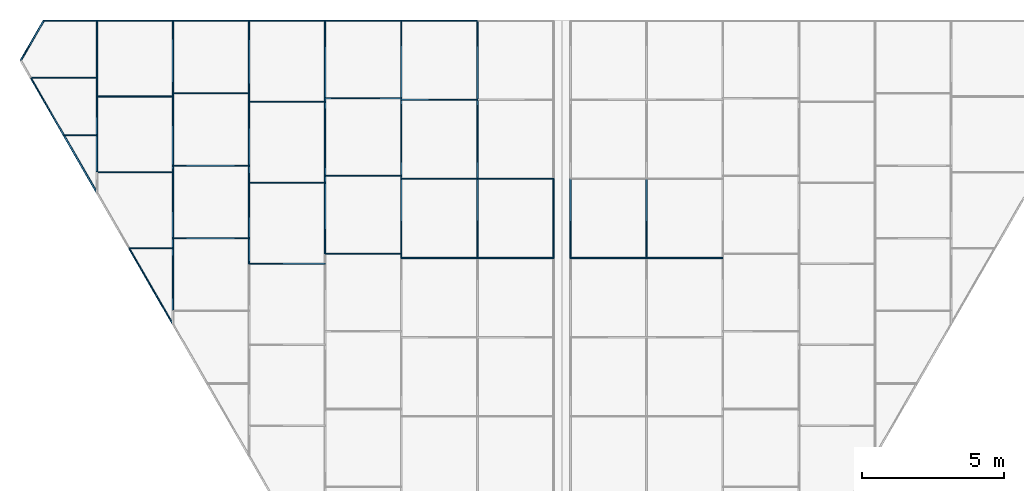
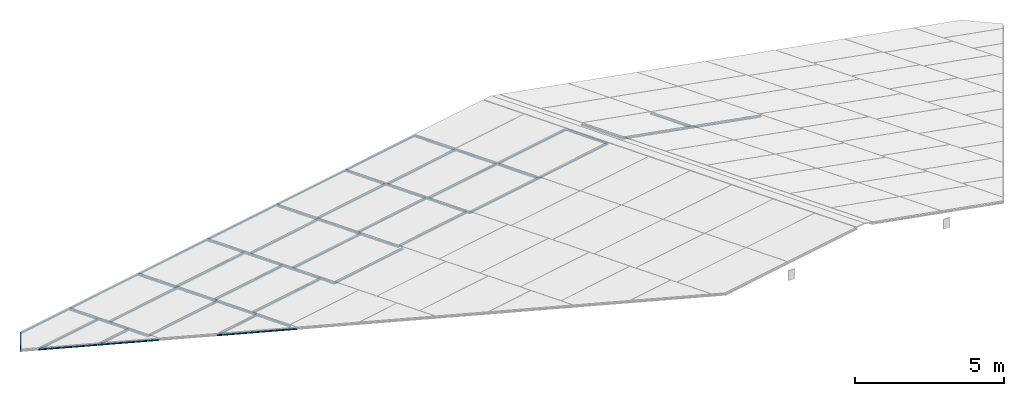
# One storey, part 3 of 12: 52 members, 30 elements without a shape of their own.
"""IFC4 building model written with IfcOpenShell, lengths in metres."""

from ifc_helpers import new_model, si_unit, direction, frame, origin, origin_2d, place, context, subcontext, project, spatial, rectangle, extrude, material, material_profile, profile_set, type_object, element, aggregate, save


model = new_model("IFC4")

# Units and contexts
model_context = context("Model", 3, precision=1e-05, world=origin(), true_north=direction((0.0, 1.0)))
body_context = subcontext(model_context, "Body", "Model", "MODEL_VIEW")
ifc_project = project(units=[si_unit("LENGTHUNIT", "METRE"), si_unit("AREAUNIT", "SQUARE_METRE"), si_unit("VOLUMEUNIT", "CUBIC_METRE"), si_unit("PLANEANGLEUNIT", "RADIAN"), si_unit("MASSUNIT", "GRAM", prefix="KILO")], contexts=[model_context])

# Site, building, storey
site_placement = place(None, origin())
site = spatial("IfcSite", under=ifc_project, at=site_placement, CompositionType="ELEMENT")
building_placement = place(site_placement, origin())
building = spatial("IfcBuilding", under=site, at=building_placement, Name="Aloe Facet Convention Tower", CompositionType="ELEMENT")
storey_placement = place(building_placement, frame((0.0, 0.0, 306.5)))
storey = spatial("IfcBuildingStorey", under=building, at=storey_placement, Name="C6", CompositionType="ELEMENT", Elevation=306.5)

# Curtain wall, members
ifc_material_1 = material(Name="Aluminium, anodised", Category="aluminium")
curtain_wall_type = type_object("IfcCurtainWallType", Name="EV-CW-LANTERN", PredefinedType="USERDEFINED", material=ifc_material_1)
curtain_wall_1_placement = place(storey_placement, origin())
curtain_wall_1 = element("IfcCurtainWall", 1, at=curtain_wall_1_placement, inside=storey, type_object=curtain_wall_type, Name="CW-RW07", ObjectType="ROOF LANTERN GLAZING", PredefinedType="USERDEFINED")
ifc_material_2 = material(Name="Aluminium, anodised", Category="aluminium")
ifc_material_profile_1 = material_profile(ifc_material_2, rectangle(XDim=0.050048828125, YDim=0.0400390625, at=origin_2d()), Name="AL 50x40")
ifc_profile_set_1 = profile_set([ifc_material_profile_1], Name="Aluminium, anodised")
member_type_1 = type_object("IfcMemberType", Name="EV-MULL-LANTERN", PredefinedType="MULLION", material=ifc_profile_set_1)
member_1_placement = place(storey_placement, frame((77.02734375, 126.16015625, -6.052734375), z_axis=(0.0, 0.929116807554, -0.369786367949), x_axis=(-1.0, 0.0, 0.0)))
member_1 = element("IfcMember", 2, at=member_1_placement, type_object=member_type_1, Name="Glazing bar W07.1", PredefinedType="MULLION", context=body_context, shape_type="SweptSolid", body=[
    extrude(rectangle(XDim=0.050048828125, YDim=0.0400390625, at=origin_2d()), origin(), (0.0, 0.0, 1.0), 2.9921875),
])
member_2_placement = place(storey_placement, frame((79.699951171875, 128.940185546875, -6.677978515625), z_axis=(0.0, -0.929144839545, 0.369715927635), x_axis=(1.0, 0.0, 0.0)))
member_2 = element("IfcMember", 3, at=member_2_placement, type_object=member_type_1, Name="Glazing bar W07.3", PredefinedType="MULLION", context=body_context, shape_type="SweptSolid", body=[
    extrude(rectangle(XDim=0.050048828125, YDim=0.0400390625, at=origin_2d()), origin(), (0.0, 0.0, 1.0), 2.991943359375),
])

# Curtain wall, member
curtain_wall_2_placement = place(storey_placement, origin())
curtain_wall_2 = element("IfcCurtainWall", 4, at=curtain_wall_2_placement, inside=storey, type_object=curtain_wall_type, Name="CW-RW08", ObjectType="ROOF LANTERN GLAZING", PredefinedType="USERDEFINED")
member_3_placement = place(storey_placement, frame((77.02734375, 128.940185546875, -7.1591796875), z_axis=(0.0, 0.929133684796, -0.369743959758), x_axis=(-1.0, 0.0, 0.0)))
member_3 = element("IfcMember", 5, at=member_3_placement, type_object=member_type_1, Name="Glazing bar W08.1", PredefinedType="MULLION", context=body_context, shape_type="SweptSolid", body=[
    extrude(rectangle(XDim=0.050048828125, YDim=0.0400390625, at=origin_2d()), origin(), (0.0, 0.0, 1.0), 2.99169921875),
])
aggregate(curtain_wall_2, [member_3])

curtain_wall_3_placement = place(storey_placement, origin())
curtain_wall_3 = element("IfcCurtainWall", 6, at=curtain_wall_3_placement, inside=storey, type_object=curtain_wall_type, Name="CW-RW09", ObjectType="ROOF LANTERN GLAZING", PredefinedType="USERDEFINED")
member_4_placement = place(storey_placement, frame((77.02734375, 131.719970703125, -8.265380859375), z_axis=(0.0, 0.929144839545, -0.369715927635), x_axis=(-1.0, 0.0, 0.0)))
member_4 = element("IfcMember", 7, at=member_4_placement, type_object=member_type_1, Name="Glazing bar W09.1", PredefinedType="MULLION", context=body_context, shape_type="SweptSolid", body=[
    extrude(rectangle(XDim=0.050048828125, YDim=0.0400390625, at=origin_2d()), origin(), (0.0, 0.0, 1.0), 2.991943359375),
])
aggregate(curtain_wall_3, [member_4])

curtain_wall_4_placement = place(storey_placement, origin())
curtain_wall_4 = element("IfcCurtainWall", 8, at=curtain_wall_4_placement, inside=storey, type_object=curtain_wall_type, Name="CW-RW16", ObjectType="ROOF LANTERN GLAZING", PredefinedType="USERDEFINED")
member_5_placement = place(storey_placement, frame((74.354736328125, 126.16015625, -6.533935546875), z_axis=(0.0, 0.929144839545, -0.369715927635), x_axis=(-1.0, 0.0, 0.0)))
member_5 = element("IfcMember", 9, at=member_5_placement, type_object=member_type_1, Name="Glazing bar W16.2", PredefinedType="MULLION", context=body_context, shape_type="SweptSolid", body=[
    extrude(rectangle(XDim=0.050048828125, YDim=0.0400390625, at=origin_2d()), origin(), (0.0, 0.0, 1.0), 2.991943359375),
])

curtain_wall_5_placement = place(storey_placement, origin())
curtain_wall_5 = element("IfcCurtainWall", 10, at=curtain_wall_5_placement, inside=storey, type_object=curtain_wall_type, Name="CW-RW17", ObjectType="ROOF LANTERN GLAZING", PredefinedType="USERDEFINED")
member_6_placement = place(storey_placement, frame((74.354736328125, 128.940185546875, -7.64013671875), z_axis=(0.0, 0.929133684796, -0.369743959758), x_axis=(-1.0, 0.0, 0.0)))
member_6 = element("IfcMember", 11, at=member_6_placement, type_object=member_type_1, Name="Glazing bar W17.2", PredefinedType="MULLION", context=body_context, shape_type="SweptSolid", body=[
    extrude(rectangle(XDim=0.050048828125, YDim=0.0400390625, at=origin_2d()), origin(), (0.0, 0.0, 1.0), 2.99169921875),
])

curtain_wall_6_placement = place(storey_placement, origin())
curtain_wall_6 = element("IfcCurtainWall", 12, at=curtain_wall_6_placement, inside=storey, type_object=curtain_wall_type, Name="CW-RW18", ObjectType="ROOF LANTERN GLAZING", PredefinedType="USERDEFINED")
member_7_placement = place(storey_placement, frame((74.354736328125, 131.719970703125, -8.746337890625), z_axis=(0.0, 0.929116807554, -0.369786367949), x_axis=(-1.0, 0.0, 0.0)))
member_7 = element("IfcMember", 13, at=member_7_placement, type_object=member_type_1, Name="Glazing bar W18.2", PredefinedType="MULLION", context=body_context, shape_type="SweptSolid", body=[
    extrude(rectangle(XDim=0.050048828125, YDim=0.0400390625, at=origin_2d()), origin(), (0.0, 0.0, 1.0), 2.9921875),
])

curtain_wall_7_placement = place(storey_placement, origin())
curtain_wall_7 = element("IfcCurtainWall", 14, at=curtain_wall_7_placement, inside=storey, type_object=curtain_wall_type, Name="CW-RW25", ObjectType="ROOF LANTERN GLAZING", PredefinedType="USERDEFINED")
member_8_placement = place(storey_placement, frame((71.681884765625, 126.316162109375, -7.0771484375), z_axis=(0.0, 0.92915184321, -0.369698326017), x_axis=(-1.0, 0.0, 0.0)))
member_8 = element("IfcMember", 15, at=member_8_placement, type_object=member_type_1, Name="Glazing bar W25.2", PredefinedType="MULLION", context=body_context, shape_type="SweptSolid", body=[
    extrude(rectangle(XDim=0.050048828125, YDim=0.0400390625, at=origin_2d()), origin(), (0.0, 0.0, 1.0), 2.93603515625),
])

curtain_wall_8_placement = place(storey_placement, origin())
curtain_wall_8 = element("IfcCurtainWall", 16, at=curtain_wall_8_placement, inside=storey, type_object=curtain_wall_type, Name="CW-RW26", ObjectType="ROOF LANTERN GLAZING", PredefinedType="USERDEFINED")
member_9_placement = place(storey_placement, frame((71.681884765625, 129.044189453125, -8.16259765625), z_axis=(0.0, 0.929111907289, -0.369798680006), x_axis=(-1.0, 0.0, 0.0)))
member_9 = element("IfcMember", 17, at=member_9_placement, type_object=member_type_1, Name="Glazing bar W26.2", PredefinedType="MULLION", context=body_context, shape_type="SweptSolid", body=[
    extrude(rectangle(XDim=0.050048828125, YDim=0.0400390625, at=origin_2d()), origin(), (0.0, 0.0, 1.0), 2.935791015625),
])

curtain_wall_9_placement = place(storey_placement, origin())
curtain_wall_9 = element("IfcCurtainWall", 18, at=curtain_wall_9_placement, inside=storey, type_object=curtain_wall_type, Name="CW-RW27", ObjectType="ROOF LANTERN GLAZING", PredefinedType="USERDEFINED")
member_10_placement = place(storey_placement, frame((71.681884765625, 131.77197265625, -9.248291015625), z_axis=(0.0, 0.92915184321, -0.369698326017), x_axis=(-1.0, 0.0, 0.0)))
member_10 = element("IfcMember", 19, at=member_10_placement, type_object=member_type_1, Name="Glazing bar W27.2", PredefinedType="MULLION", context=body_context, shape_type="SweptSolid", body=[
    extrude(rectangle(XDim=0.050048828125, YDim=0.0400390625, at=origin_2d()), origin(), (0.0, 0.0, 1.0), 2.93603515625),
])

curtain_wall_10_placement = place(storey_placement, origin())
curtain_wall_10 = element("IfcCurtainWall", 20, at=curtain_wall_10_placement, inside=storey, type_object=curtain_wall_type, Name="CW-RW32", ObjectType="ROOF LANTERN GLAZING", PredefinedType="USERDEFINED")
member_11_placement = place(storey_placement, frame((69.00927734375, 125.9619140625, -7.417236328125), z_axis=(0.0, 0.929129387172, -0.369754759122), x_axis=(-1.0, 0.0, 0.0)))
member_11 = element("IfcMember", 21, at=member_11_placement, type_object=member_type_1, Name="Glazing bar W32.2", PredefinedType="MULLION", context=body_context, shape_type="SweptSolid", body=[
    extrude(rectangle(XDim=0.050048828125, YDim=0.0400390625, at=origin_2d()), origin(), (0.0, 0.0, 1.0), 3.06298828125),
])

curtain_wall_11_placement = place(storey_placement, origin())
curtain_wall_11 = element("IfcCurtainWall", 22, at=curtain_wall_11_placement, inside=storey, type_object=curtain_wall_type, Name="CW-RW33", ObjectType="ROOF LANTERN GLAZING", PredefinedType="USERDEFINED")
member_12_placement = place(storey_placement, frame((69.00927734375, 128.807861328125, -8.5498046875), z_axis=(0.0, 0.929140283212, -0.369727378094), x_axis=(-1.0, 0.0, 0.0)))
member_12 = element("IfcMember", 23, at=member_12_placement, type_object=member_type_1, Name="Glazing bar W33.2", PredefinedType="MULLION", context=body_context, shape_type="SweptSolid", body=[
    extrude(rectangle(XDim=0.050048828125, YDim=0.0400390625, at=origin_2d()), origin(), (0.0, 0.0, 1.0), 3.063232421875),
])

curtain_wall_12_placement = place(storey_placement, origin())
curtain_wall_12 = element("IfcCurtainWall", 24, at=curtain_wall_12_placement, inside=storey, type_object=curtain_wall_type, Name="CW-RW34", ObjectType="ROOF LANTERN GLAZING", PredefinedType="USERDEFINED")
member_13_placement = place(storey_placement, frame((69.00927734375, 131.654052734375, -9.682373046875), z_axis=(0.0, 0.929129387172, -0.369754759122), x_axis=(-1.0, 0.0, 0.0)))
member_13 = element("IfcMember", 25, at=member_13_placement, type_object=member_type_1, Name="Glazing bar W34.2", PredefinedType="MULLION", context=body_context, shape_type="SweptSolid", body=[
    extrude(rectangle(XDim=0.050048828125, YDim=0.0400390625, at=origin_2d()), origin(), (0.0, 0.0, 1.0), 3.06298828125),
])

curtain_wall_13_placement = place(storey_placement, origin())
curtain_wall_13 = element("IfcCurtainWall", 26, at=curtain_wall_13_placement, inside=storey, type_object=curtain_wall_type, Name="CW-RW37", ObjectType="ROOF LANTERN GLAZING", PredefinedType="USERDEFINED")
member_14_placement = place(storey_placement, frame((66.336669921875, 124.3046875, -7.23876953125), z_axis=(0.0, 0.929119747862, -0.369778980112), x_axis=(-1.0, 0.0, 0.0)))
member_14 = element("IfcMember", 27, at=member_14_placement, type_object=member_type_1, Name="Glazing bar W37.2", PredefinedType="MULLION", context=body_context, shape_type="SweptSolid", body=[
    extrude(rectangle(XDim=0.050048828125, YDim=0.0400390625, at=origin_2d()), origin(), (0.0, 0.0, 1.0), 2.7431640625),
])

curtain_wall_14_placement = place(storey_placement, origin())
curtain_wall_14 = element("IfcCurtainWall", 28, at=curtain_wall_14_placement, inside=storey, type_object=curtain_wall_type, Name="CW-RW38", ObjectType="ROOF LANTERN GLAZING", PredefinedType="USERDEFINED")
member_15_placement = place(storey_placement, frame((66.336669921875, 126.853515625, -8.253173828125), z_axis=(0.0, 0.929150322004, -0.369702149196), x_axis=(-1.0, 0.0, 0.0)))
member_15 = element("IfcMember", 29, at=member_15_placement, type_object=member_type_1, Name="Glazing bar W38.2", PredefinedType="MULLION", context=body_context, shape_type="SweptSolid", body=[
    extrude(rectangle(XDim=0.050048828125, YDim=0.0400390625, at=origin_2d()), origin(), (0.0, 0.0, 1.0), 2.7431640625),
])

curtain_wall_15_placement = place(storey_placement, origin())
curtain_wall_15 = element("IfcCurtainWall", 30, at=curtain_wall_15_placement, inside=storey, type_object=curtain_wall_type, Name="CW-RW39", ObjectType="ROOF LANTERN GLAZING", PredefinedType="USERDEFINED")
member_16_placement = place(storey_placement, frame((66.336669921875, 129.40234375, -9.267333984375), z_axis=(0.0, 0.929119747862, -0.369778980112), x_axis=(-1.0, 0.0, 0.0)))
member_16 = element("IfcMember", 31, at=member_16_placement, type_object=member_type_1, Name="Glazing bar W39.2", PredefinedType="MULLION", context=body_context, shape_type="SweptSolid", body=[
    extrude(rectangle(XDim=0.050048828125, YDim=0.0400390625, at=origin_2d()), origin(), (0.0, 0.0, 1.0), 2.7431640625),
])

curtain_wall_16_placement = place(storey_placement, origin())
curtain_wall_16 = element("IfcCurtainWall", 32, at=curtain_wall_16_placement, inside=storey, type_object=curtain_wall_type, Name="CW-RW40", ObjectType="ROOF LANTERN GLAZING", PredefinedType="USERDEFINED")
member_17_placement = place(storey_placement, frame((66.336669921875, 131.951171875, -10.28173828125), z_axis=(0.0, 0.929150322004, -0.369702149196), x_axis=(-1.0, 0.0, 0.0)))
member_17 = element("IfcMember", 33, at=member_17_placement, type_object=member_type_1, Name="Glazing bar W40.2", PredefinedType="MULLION", context=body_context, shape_type="SweptSolid", body=[
    extrude(rectangle(XDim=0.050048828125, YDim=0.0400390625, at=origin_2d()), origin(), (0.0, 0.0, 1.0), 2.7431640625),
])

curtain_wall_17_placement = place(storey_placement, origin())
curtain_wall_17 = element("IfcCurtainWall", 34, at=curtain_wall_17_placement, inside=storey, type_object=curtain_wall_type, Name="CW-RW41", ObjectType="ROOF LANTERN GLAZING", PredefinedType="USERDEFINED")
member_18_placement = place(storey_placement, frame((66.336669921875, 123.836181640625, -7.05224609375), z_axis=(-0.458571788995, 0.794227428363, -0.39864107462), x_axis=(-0.866013897511, -0.50001992892, 0.0)))
member_18 = element("IfcMember", 35, at=member_18_placement, type_object=member_type_1, Name="Glazing bar W41.1", PredefinedType="MULLION", context=body_context, shape_type="SweptSolid", body=[
    extrude(rectangle(XDim=0.050048828125, YDim=0.0400390625, at=origin_2d()), origin(), (0.0, 0.0, 1.0), 3.356689453125),
])

curtain_wall_18_placement = place(storey_placement, origin())
curtain_wall_18 = element("IfcCurtainWall", 36, at=curtain_wall_18_placement, inside=storey, type_object=curtain_wall_type, Name="CW-RW43", ObjectType="ROOF LANTERN GLAZING", PredefinedType="USERDEFINED")
member_19_placement = place(storey_placement, frame((63.663818359375, 129.168212890625, -9.6552734375), z_axis=(0.0, 0.929138354952, -0.369732223855), x_axis=(-1.0, 0.0, 0.0)))
member_19 = element("IfcMember", 37, at=member_19_placement, type_object=member_type_1, Name="Glazing bar W43.2", PredefinedType="MULLION", context=body_context, shape_type="SweptSolid", body=[
    extrude(rectangle(XDim=0.050048828125, YDim=0.0400390625, at=origin_2d()), origin(), (0.0, 0.0, 1.0), 2.869140625),
])

curtain_wall_19_placement = place(storey_placement, origin())
curtain_wall_19 = element("IfcCurtainWall", 38, at=curtain_wall_19_placement, inside=storey, type_object=curtain_wall_type, Name="CW-RW44", ObjectType="ROOF LANTERN GLAZING", PredefinedType="USERDEFINED")
member_20_placement = place(storey_placement, frame((63.663818359375, 131.833984375, -10.716064453125), z_axis=(0.0, 0.92912075587, -0.369776447345), x_axis=(-1.0, 0.0, 0.0)))
member_20 = element("IfcMember", 39, at=member_20_placement, type_object=member_type_1, Name="Glazing bar W44.2", PredefinedType="MULLION", context=body_context, shape_type="SweptSolid", body=[
    extrude(rectangle(XDim=0.050048828125, YDim=0.0400390625, at=origin_2d()), origin(), (0.0, 0.0, 1.0), 2.869384765625),
])

curtain_wall_20_placement = place(storey_placement, origin())
curtain_wall_20 = element("IfcCurtainWall", 40, at=curtain_wall_20_placement, inside=storey, type_object=curtain_wall_type, Name="CW-RW45", ObjectType="ROOF LANTERN GLAZING", PredefinedType="USERDEFINED")
member_21_placement = place(storey_placement, frame((63.663818359375, 128.465576171875, -9.375732421875), z_axis=(-0.458574682972, 0.79423939731, -0.398613898274), x_axis=(-0.866015794002, -0.500016644261, 0.0)))
member_21 = element("IfcMember", 41, at=member_21_placement, type_object=member_type_1, Name="Glazing bar W45.1", PredefinedType="MULLION", context=body_context, shape_type="SweptSolid", body=[
    extrude(rectangle(XDim=0.050048828125, YDim=0.0400390625, at=origin_2d()), origin(), (0.0, 0.0, 1.0), 2.532470703125),
])

curtain_wall_21_placement = place(storey_placement, origin())
curtain_wall_21 = element("IfcCurtainWall", 42, at=curtain_wall_21_placement, inside=storey, type_object=curtain_wall_type, Name="CW-RW46", ObjectType="ROOF LANTERN GLAZING", PredefinedType="USERDEFINED")
member_22_placement = place(storey_placement, frame((62.50244140625, 130.47705078125, -10.38525390625), z_axis=(-0.458516168848, 0.794305028415, -0.398550429356), x_axis=(-0.866061308544, -0.499937805976, 0.0)))
member_22 = element("IfcMember", 43, at=member_22_placement, type_object=member_type_1, Name="Glazing bar W46.1", PredefinedType="MULLION", context=body_context, shape_type="SweptSolid", body=[
    extrude(rectangle(XDim=0.050048828125, YDim=0.0400390625, at=origin_2d()), origin(), (0.0, 0.0, 1.0), 2.532470703125),
])

curtain_wall_22_placement = place(storey_placement, origin())
curtain_wall_22 = element("IfcCurtainWall", 44, at=curtain_wall_22_placement, inside=storey, type_object=curtain_wall_type, Name="CW-RW47", ObjectType="ROOF LANTERN GLAZING", PredefinedType="USERDEFINED")
member_23_placement = place(storey_placement, frame((60.9912109375, 133.0947265625, -11.698974609375), z_axis=(0.484520085228, 0.839271023344, -0.246707187543), x_axis=(-0.866040267459, 0.499974254476, 0.0)))
member_23 = element("IfcMember", 45, at=member_23_placement, type_object=member_type_1, Name="Glazing bar W47.3", PredefinedType="MULLION", context=body_context, shape_type="SweptSolid", body=[
    extrude(rectangle(XDim=0.050048828125, YDim=0.0400390625, at=origin_2d()), origin(), (0.0, 0.0, 1.0), 1.67431640625),
])

# Curtain wall, members
curtain_wall_23_placement = place(storey_placement, origin())
curtain_wall_23 = element("IfcCurtainWall", 46, at=curtain_wall_23_placement, inside=storey, type_object=curtain_wall_type, Name="CW-RE07", ObjectType="ROOF LANTERN GLAZING", PredefinedType="USERDEFINED")
member_24_placement = place(storey_placement, frame((80.300048828125, 126.16015625, -5.57177734375), z_axis=(0.0, 0.929144839545, -0.369715927635), x_axis=(-1.0, 0.0, 0.0)))
member_24 = element("IfcMember", 47, at=member_24_placement, type_object=member_type_1, Name="Glazing bar E07.1", PredefinedType="MULLION", context=body_context, shape_type="SweptSolid", body=[
    extrude(rectangle(XDim=0.050048828125, YDim=0.0400390625, at=origin_2d()), origin(), (0.0, 0.0, 1.0), 2.991943359375),
])
member_25_placement = place(storey_placement, frame((82.97265625, 128.940185546875, -7.1591796875), z_axis=(0.0, -0.929116807554, 0.369786367949), x_axis=(1.0, 0.0, 0.0)))
member_25 = element("IfcMember", 48, at=member_25_placement, type_object=member_type_1, Name="Glazing bar E07.3", PredefinedType="MULLION", context=body_context, shape_type="SweptSolid", body=[
    extrude(rectangle(XDim=0.050048828125, YDim=0.0400390625, at=origin_2d()), origin(), (0.0, 0.0, 1.0), 2.9921875),
])
aggregate(curtain_wall_23, [member_24, member_25])

# Curtain wall, member
curtain_wall_24_placement = place(storey_placement, origin())
curtain_wall_24 = element("IfcCurtainWall", 49, at=curtain_wall_24_placement, inside=storey, type_object=curtain_wall_type, Name="CW-RW06", ObjectType="ROOF LANTERN GLAZING", PredefinedType="USERDEFINED")
ifc_material_3 = material(Name="Aluminium, anodised", Category="aluminium")
ifc_material_profile_2 = material_profile(ifc_material_3, rectangle(XDim=0.0400390625, YDim=0.050048828125, at=origin_2d()), Name="AL 40x50")
ifc_profile_set_2 = profile_set([ifc_material_profile_2], Name="Aluminium, anodised")
member_type_2 = type_object("IfcMemberType", Name="EV-TRAN-LANTERN", PredefinedType="USERDEFINED", material=ifc_profile_set_2)
member_26_placement = place(storey_placement, frame((77.02734375, 126.16015625, -6.052734375), z_axis=(0.984190533675, 0.0, 0.177112939741), x_axis=(0.0, 1.0, 0.0)))
member_26 = element("IfcMember", 50, at=member_26_placement, type_object=member_type_2, Name="Glazing bar W06.2", ObjectType="TRANSOM", PredefinedType="USERDEFINED", context=body_context, shape_type="SweptSolid", body=[
    extrude(rectangle(XDim=0.0400390625, YDim=0.050048828125, at=origin_2d()), origin(), (0.0, 0.0, 1.0), 2.715576171875),
])
aggregate(curtain_wall_24, [member_26])

# Member
member_27_placement = place(storey_placement, frame((77.02734375, 128.940185546875, -7.1591796875), z_axis=(0.984174858465, 0.0, 0.177200022475), x_axis=(0.0, 1.0, 0.0)))
member_27 = element("IfcMember", 51, at=member_27_placement, type_object=member_type_2, Name="Glazing bar W07.2", ObjectType="TRANSOM", PredefinedType="USERDEFINED", context=body_context, shape_type="SweptSolid", body=[
    extrude(rectangle(XDim=0.0400390625, YDim=0.050048828125, at=origin_2d()), origin(), (0.0, 0.0, 1.0), 2.715576171875),
])

aggregate(curtain_wall_1, [member_1, member_27, member_2])

# Curtain wall, member
curtain_wall_25_placement = place(storey_placement, origin())
curtain_wall_25 = element("IfcCurtainWall", 52, at=curtain_wall_25_placement, inside=storey, type_object=curtain_wall_type, Name="CW-RW15", ObjectType="ROOF LANTERN GLAZING", PredefinedType="USERDEFINED")
member_28_placement = place(storey_placement, frame((74.354736328125, 126.16015625, -6.533935546875), z_axis=(0.984174858465, 0.0, 0.177200022475), x_axis=(0.0, 1.0, 0.0)))
member_28 = element("IfcMember", 53, at=member_28_placement, type_object=member_type_2, Name="Glazing bar W15.1", ObjectType="TRANSOM", PredefinedType="USERDEFINED", context=body_context, shape_type="SweptSolid", body=[
    extrude(rectangle(XDim=0.0400390625, YDim=0.050048828125, at=origin_2d()), origin(), (0.0, 0.0, 1.0), 2.715576171875),
])
aggregate(curtain_wall_25, [member_28])

# Member
member_29_placement = place(storey_placement, frame((74.354736328125, 128.940185546875, -7.64013671875), z_axis=(0.984190533675, 0.0, 0.177112939741), x_axis=(0.0, 1.0, 0.0)))
member_29 = element("IfcMember", 54, at=member_29_placement, type_object=member_type_2, Name="Glazing bar W16.1", ObjectType="TRANSOM", PredefinedType="USERDEFINED", context=body_context, shape_type="SweptSolid", body=[
    extrude(rectangle(XDim=0.0400390625, YDim=0.050048828125, at=origin_2d()), origin(), (0.0, 0.0, 1.0), 2.715576171875),
])

aggregate(curtain_wall_4, [member_29, member_5])

member_30_placement = place(storey_placement, frame((74.354736328125, 131.719970703125, -8.746337890625), z_axis=(0.984190533675, 0.0, 0.177112939741), x_axis=(0.0, 1.0, 0.0)))
member_30 = element("IfcMember", 55, at=member_30_placement, type_object=member_type_2, Name="Glazing bar W17.1", ObjectType="TRANSOM", PredefinedType="USERDEFINED", context=body_context, shape_type="SweptSolid", body=[
    extrude(rectangle(XDim=0.0400390625, YDim=0.050048828125, at=origin_2d()), origin(), (0.0, 0.0, 1.0), 2.715576171875),
])

aggregate(curtain_wall_5, [member_30, member_6])

member_31_placement = place(storey_placement, frame((74.354736328125, 134.5, -9.852783203125), z_axis=(0.984174858465, 0.0, 0.177200022475), x_axis=(0.0, 1.0, 0.0)))
member_31 = element("IfcMember", 56, at=member_31_placement, type_object=member_type_2, Name="Glazing bar W18.1", ObjectType="TRANSOM", PredefinedType="USERDEFINED", context=body_context, shape_type="SweptSolid", body=[
    extrude(rectangle(XDim=0.0400390625, YDim=0.050048828125, at=origin_2d()), origin(), (0.0, 0.0, 1.0), 2.715576171875),
])

aggregate(curtain_wall_6, [member_31, member_7])

# Curtain wall, member
curtain_wall_26_placement = place(storey_placement, origin())
curtain_wall_26 = element("IfcCurtainWall", 57, at=curtain_wall_26_placement, inside=storey, type_object=curtain_wall_type, Name="CW-RW24", ObjectType="ROOF LANTERN GLAZING", PredefinedType="USERDEFINED")
member_32_placement = place(storey_placement, frame((71.681884765625, 126.316162109375, -7.0771484375), z_axis=(0.98417768105, 0.0, 0.177184345027), x_axis=(0.0, 1.0, 0.0)))
member_32 = element("IfcMember", 58, at=member_32_placement, type_object=member_type_2, Name="Glazing bar W24.1", ObjectType="TRANSOM", PredefinedType="USERDEFINED", context=body_context, shape_type="SweptSolid", body=[
    extrude(rectangle(XDim=0.0400390625, YDim=0.050048828125, at=origin_2d()), origin(), (0.0, 0.0, 1.0), 2.7158203125),
])
aggregate(curtain_wall_26, [member_32])

# Member
member_33_placement = place(storey_placement, frame((71.681884765625, 129.044189453125, -8.16259765625), z_axis=(0.984193353532, 0.0, 0.177097269497), x_axis=(0.0, 1.0, 0.0)))
member_33 = element("IfcMember", 59, at=member_33_placement, type_object=member_type_2, Name="Glazing bar W25.1", ObjectType="TRANSOM", PredefinedType="USERDEFINED", context=body_context, shape_type="SweptSolid", body=[
    extrude(rectangle(XDim=0.0400390625, YDim=0.050048828125, at=origin_2d()), origin(), (0.0, 0.0, 1.0), 2.7158203125),
])

aggregate(curtain_wall_7, [member_33, member_8])

member_34_placement = place(storey_placement, frame((71.681884765625, 131.77197265625, -9.248291015625), z_axis=(0.98417768105, 0.0, 0.177184345027), x_axis=(0.0, 1.0, 0.0)))
member_34 = element("IfcMember", 60, at=member_34_placement, type_object=member_type_2, Name="Glazing bar W26.1", ObjectType="TRANSOM", PredefinedType="USERDEFINED", context=body_context, shape_type="SweptSolid", body=[
    extrude(rectangle(XDim=0.0400390625, YDim=0.050048828125, at=origin_2d()), origin(), (0.0, 0.0, 1.0), 2.7158203125),
])

aggregate(curtain_wall_8, [member_34, member_9])

member_35_placement = place(storey_placement, frame((71.681884765625, 134.5, -10.333740234375), z_axis=(0.984193353532, 0.0, 0.177097269497), x_axis=(0.0, 1.0, 0.0)))
member_35 = element("IfcMember", 61, at=member_35_placement, type_object=member_type_2, Name="Glazing bar W27.1", ObjectType="TRANSOM", PredefinedType="USERDEFINED", context=body_context, shape_type="SweptSolid", body=[
    extrude(rectangle(XDim=0.0400390625, YDim=0.050048828125, at=origin_2d()), origin(), (0.0, 0.0, 1.0), 2.7158203125),
])

aggregate(curtain_wall_9, [member_35, member_10])

# Curtain wall, member
curtain_wall_27_placement = place(storey_placement, origin())
curtain_wall_27 = element("IfcCurtainWall", 62, at=curtain_wall_27_placement, inside=storey, type_object=curtain_wall_type, Name="CW-RW31", ObjectType="ROOF LANTERN GLAZING", PredefinedType="USERDEFINED")
member_36_placement = place(storey_placement, frame((69.00927734375, 125.9619140625, -7.417236328125), z_axis=(0.984174858465, 0.0, 0.177200022475), x_axis=(0.0, 1.0, 0.0)))
member_36 = element("IfcMember", 63, at=member_36_placement, type_object=member_type_2, Name="Glazing bar W31.1", ObjectType="TRANSOM", PredefinedType="USERDEFINED", context=body_context, shape_type="SweptSolid", body=[
    extrude(rectangle(XDim=0.0400390625, YDim=0.050048828125, at=origin_2d()), origin(), (0.0, 0.0, 1.0), 2.715576171875),
])
aggregate(curtain_wall_27, [member_36])

# Member
member_37_placement = place(storey_placement, frame((69.00927734375, 128.807861328125, -8.5498046875), z_axis=(0.984174858465, 0.0, 0.177200022475), x_axis=(0.0, 1.0, 0.0)))
member_37 = element("IfcMember", 64, at=member_37_placement, type_object=member_type_2, Name="Glazing bar W32.1", ObjectType="TRANSOM", PredefinedType="USERDEFINED", context=body_context, shape_type="SweptSolid", body=[
    extrude(rectangle(XDim=0.0400390625, YDim=0.050048828125, at=origin_2d()), origin(), (0.0, 0.0, 1.0), 2.715576171875),
])

aggregate(curtain_wall_10, [member_37, member_11])

member_38_placement = place(storey_placement, frame((69.00927734375, 131.654052734375, -9.682373046875), z_axis=(0.984174858465, 0.0, 0.177200022475), x_axis=(0.0, 1.0, 0.0)))
member_38 = element("IfcMember", 65, at=member_38_placement, type_object=member_type_2, Name="Glazing bar W33.1", ObjectType="TRANSOM", PredefinedType="USERDEFINED", context=body_context, shape_type="SweptSolid", body=[
    extrude(rectangle(XDim=0.0400390625, YDim=0.050048828125, at=origin_2d()), origin(), (0.0, 0.0, 1.0), 2.715576171875),
])

aggregate(curtain_wall_11, [member_38, member_12])

member_39_placement = place(storey_placement, frame((69.00927734375, 134.5, -10.81494140625), z_axis=(0.984174858465, 0.0, 0.177200022475), x_axis=(0.0, 1.0, 0.0)))
member_39 = element("IfcMember", 66, at=member_39_placement, type_object=member_type_2, Name="Glazing bar W34.1", ObjectType="TRANSOM", PredefinedType="USERDEFINED", context=body_context, shape_type="SweptSolid", body=[
    extrude(rectangle(XDim=0.0400390625, YDim=0.050048828125, at=origin_2d()), origin(), (0.0, 0.0, 1.0), 2.715576171875),
])

aggregate(curtain_wall_12, [member_39, member_13])

member_40_placement = place(storey_placement, frame((66.336669921875, 126.853515625, -8.253173828125), z_axis=(0.984174858465, 0.0, 0.177200022475), x_axis=(0.0, 1.0, 0.0)))
member_40 = element("IfcMember", 67, at=member_40_placement, type_object=member_type_2, Name="Glazing bar W37.1", ObjectType="TRANSOM", PredefinedType="USERDEFINED", context=body_context, shape_type="SweptSolid", body=[
    extrude(rectangle(XDim=0.0400390625, YDim=0.050048828125, at=origin_2d()), origin(), (0.0, 0.0, 1.0), 2.715576171875),
])

aggregate(curtain_wall_13, [member_40, member_14])

member_41_placement = place(storey_placement, frame((66.336669921875, 129.40234375, -9.267333984375), z_axis=(0.984190533675, 0.0, 0.177112939741), x_axis=(0.0, 1.0, 0.0)))
member_41 = element("IfcMember", 68, at=member_41_placement, type_object=member_type_2, Name="Glazing bar W38.1", ObjectType="TRANSOM", PredefinedType="USERDEFINED", context=body_context, shape_type="SweptSolid", body=[
    extrude(rectangle(XDim=0.0400390625, YDim=0.050048828125, at=origin_2d()), origin(), (0.0, 0.0, 1.0), 2.715576171875),
])

aggregate(curtain_wall_14, [member_41, member_15])

member_42_placement = place(storey_placement, frame((66.336669921875, 131.951171875, -10.28173828125), z_axis=(0.984174858465, 0.0, 0.177200022475), x_axis=(0.0, 1.0, 0.0)))
member_42 = element("IfcMember", 69, at=member_42_placement, type_object=member_type_2, Name="Glazing bar W39.1", ObjectType="TRANSOM", PredefinedType="USERDEFINED", context=body_context, shape_type="SweptSolid", body=[
    extrude(rectangle(XDim=0.0400390625, YDim=0.050048828125, at=origin_2d()), origin(), (0.0, 0.0, 1.0), 2.715576171875),
])

aggregate(curtain_wall_15, [member_42, member_16])

member_43_placement = place(storey_placement, frame((66.336669921875, 134.5, -11.2958984375), z_axis=(0.984190533675, 0.0, 0.177112939741), x_axis=(0.0, 1.0, 0.0)))
member_43 = element("IfcMember", 70, at=member_43_placement, type_object=member_type_2, Name="Glazing bar W40.1", ObjectType="TRANSOM", PredefinedType="USERDEFINED", context=body_context, shape_type="SweptSolid", body=[
    extrude(rectangle(XDim=0.0400390625, YDim=0.050048828125, at=origin_2d()), origin(), (0.0, 0.0, 1.0), 2.715576171875),
])

aggregate(curtain_wall_16, [member_43, member_17])

member_44_placement = place(storey_placement, frame((64.79736328125, 126.502197265625, -8.390380859375), z_axis=(0.984180602321, 0.0, 0.177168117944), x_axis=(0.0, 1.0, 0.0)))
member_44 = element("IfcMember", 71, at=member_44_placement, type_object=member_type_2, Name="Glazing bar W41.2", ObjectType="TRANSOM", PredefinedType="USERDEFINED", context=body_context, shape_type="SweptSolid", body=[
    extrude(rectangle(XDim=0.0400390625, YDim=0.050048828125, at=origin_2d()), origin(), (0.0, 0.0, 1.0), 1.56396484375),
])

aggregate(curtain_wall_17, [member_18, member_44])

# Curtain wall, member
curtain_wall_28_placement = place(storey_placement, origin())
curtain_wall_28 = element("IfcCurtainWall", 72, at=curtain_wall_28_placement, inside=storey, type_object=curtain_wall_type, Name="CW-RW42", ObjectType="ROOF LANTERN GLAZING", PredefinedType="USERDEFINED")
member_45_placement = place(storey_placement, frame((63.663818359375, 129.168212890625, -9.6552734375), z_axis=(0.98417768105, 0.0, 0.177184345027), x_axis=(0.0, 1.0, 0.0)))
member_45 = element("IfcMember", 73, at=member_45_placement, type_object=member_type_2, Name="Glazing bar W42.1", ObjectType="TRANSOM", PredefinedType="USERDEFINED", context=body_context, shape_type="SweptSolid", body=[
    extrude(rectangle(XDim=0.0400390625, YDim=0.050048828125, at=origin_2d()), origin(), (0.0, 0.0, 1.0), 2.7158203125),
])
aggregate(curtain_wall_28, [member_45])

# Member
member_46_placement = place(storey_placement, frame((63.663818359375, 131.833984375, -10.716064453125), z_axis=(0.984193353532, 0.0, 0.177097269497), x_axis=(0.0, 1.0, 0.0)))
member_46 = element("IfcMember", 74, at=member_46_placement, type_object=member_type_2, Name="Glazing bar W43.1", ObjectType="TRANSOM", PredefinedType="USERDEFINED", context=body_context, shape_type="SweptSolid", body=[
    extrude(rectangle(XDim=0.0400390625, YDim=0.050048828125, at=origin_2d()), origin(), (0.0, 0.0, 1.0), 2.7158203125),
])

aggregate(curtain_wall_18, [member_46, member_19])

member_47_placement = place(storey_placement, frame((63.663818359375, 134.5, -11.777099609375), z_axis=(0.98417768105, 0.0, 0.177184345027), x_axis=(0.0, 1.0, 0.0)))
member_47 = element("IfcMember", 75, at=member_47_placement, type_object=member_type_2, Name="Glazing bar W44.1", ObjectType="TRANSOM", PredefinedType="USERDEFINED", context=body_context, shape_type="SweptSolid", body=[
    extrude(rectangle(XDim=0.0400390625, YDim=0.050048828125, at=origin_2d()), origin(), (0.0, 0.0, 1.0), 2.7158203125),
])

aggregate(curtain_wall_19, [member_47, member_20])

member_48_placement = place(storey_placement, frame((62.50244140625, 130.47705078125, -10.38525390625), z_axis=(0.984156620422, 0.0, 0.177301287303), x_axis=(0.0, 1.0, 0.0)))
member_48 = element("IfcMember", 76, at=member_48_placement, type_object=member_type_2, Name="Glazing bar W45.2", ObjectType="TRANSOM", PredefinedType="USERDEFINED", context=body_context, shape_type="SweptSolid", body=[
    extrude(rectangle(XDim=0.0400390625, YDim=0.050048828125, at=origin_2d()), origin(), (0.0, 0.0, 1.0), 1.18017578125),
])

aggregate(curtain_wall_20, [member_21, member_48])

member_49_placement = place(storey_placement, frame((61.34130859375, 132.488525390625, -11.39453125), z_axis=(0.984189456266, 0.0, 0.17711892664), x_axis=(0.0, 1.0, 0.0)))
member_49 = element("IfcMember", 77, at=member_49_placement, type_object=member_type_2, Name="Glazing bar W46.2", ObjectType="TRANSOM", PredefinedType="USERDEFINED", context=body_context, shape_type="SweptSolid", body=[
    extrude(rectangle(XDim=0.0400390625, YDim=0.050048828125, at=origin_2d()), origin(), (0.0, 0.0, 1.0), 2.35986328125),
])

aggregate(curtain_wall_21, [member_22, member_49])

member_50_placement = place(storey_placement, frame((61.802490234375, 134.5, -12.112060546875), z_axis=(0.984190525453, 0.0, 0.17711298543), x_axis=(0.0, 1.0, 0.0)))
member_50 = element("IfcMember", 78, at=member_50_placement, type_object=member_type_2, Name="Glazing bar W47.1", ObjectType="TRANSOM", PredefinedType="USERDEFINED", context=body_context, shape_type="SweptSolid", body=[
    extrude(rectangle(XDim=0.0400390625, YDim=0.050048828125, at=origin_2d()), origin(), (0.0, 0.0, 1.0), 1.89111328125),
])

aggregate(curtain_wall_22, [member_50, member_23])

# Curtain wall, member
curtain_wall_29_placement = place(storey_placement, origin())
curtain_wall_29 = element("IfcCurtainWall", 79, at=curtain_wall_29_placement, inside=storey, type_object=curtain_wall_type, Name="CW-RE06", ObjectType="ROOF LANTERN GLAZING", PredefinedType="USERDEFINED")
member_51_placement = place(storey_placement, frame((80.300048828125, 126.16015625, -5.57177734375), z_axis=(0.984190533675, 0.0, -0.177112939741), x_axis=(0.0, 1.0, 0.0)))
member_51 = element("IfcMember", 80, at=member_51_placement, type_object=member_type_2, Name="Glazing bar E06.2", ObjectType="TRANSOM", PredefinedType="USERDEFINED", context=body_context, shape_type="SweptSolid", body=[
    extrude(rectangle(XDim=0.0400390625, YDim=0.050048828125, at=origin_2d()), origin(), (0.0, 0.0, 1.0), 2.715576171875),
])
aggregate(curtain_wall_29, [member_51])

curtain_wall_30_placement = place(storey_placement, origin())
curtain_wall_30 = element("IfcCurtainWall", 81, at=curtain_wall_30_placement, inside=storey, type_object=curtain_wall_type, Name="CW-RE15", ObjectType="ROOF LANTERN GLAZING", PredefinedType="USERDEFINED")
member_52_placement = place(storey_placement, frame((82.97265625, 126.16015625, -6.052734375), z_axis=(0.984174858465, 0.0, -0.177200022475), x_axis=(0.0, 1.0, 0.0)))
member_52 = element("IfcMember", 82, at=member_52_placement, type_object=member_type_2, Name="Glazing bar E15.1", ObjectType="TRANSOM", PredefinedType="USERDEFINED", context=body_context, shape_type="SweptSolid", body=[
    extrude(rectangle(XDim=0.0400390625, YDim=0.050048828125, at=origin_2d()), origin(), (0.0, 0.0, 1.0), 2.715576171875),
])
aggregate(curtain_wall_30, [member_52])

save(model, "model.ifc")
